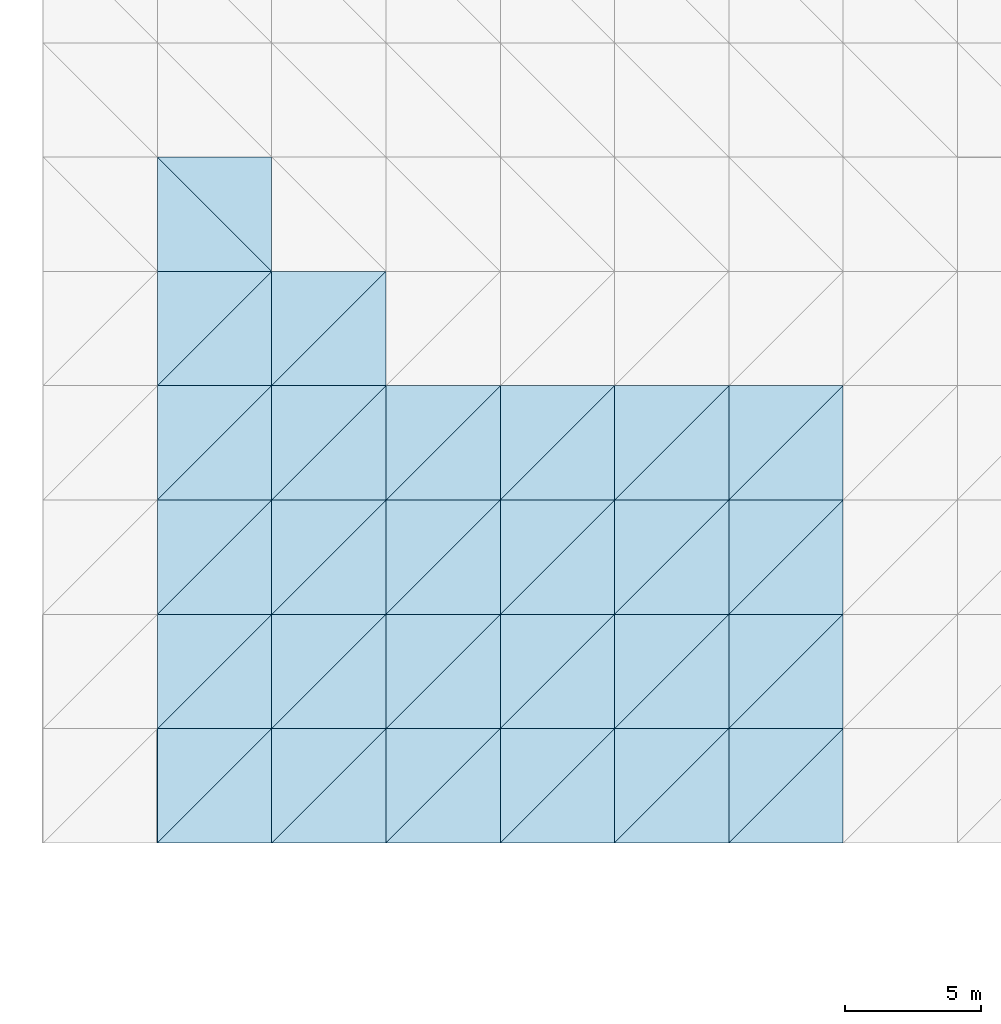
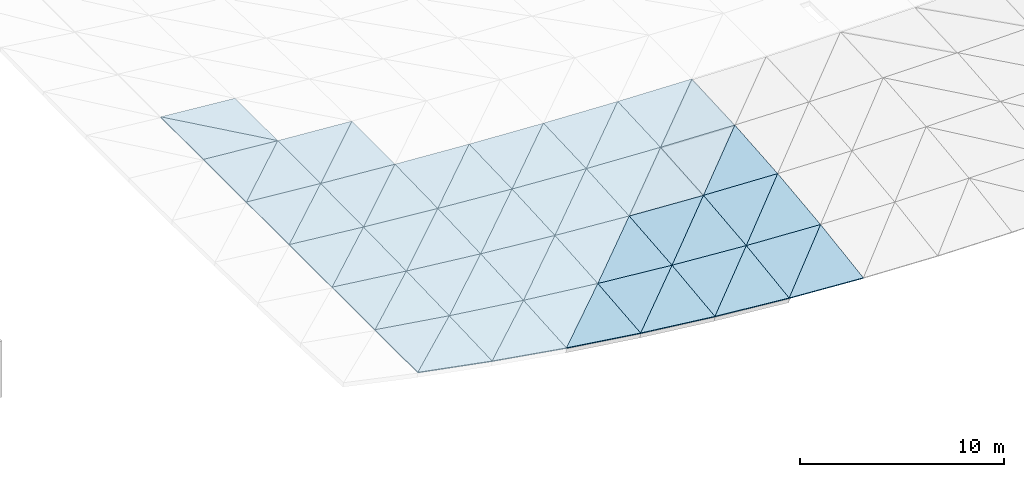
# One storey, part 42 of 64: 54 roofs.
"""IFC4 building model written with IfcOpenShell, lengths in metres."""

from ifc_helpers import new_model, si_unit, direction, frame, origin, place, context, subcontext, project, spatial, polyline, outline, extrude, material, layer, layer_set, type_object, element, save


model = new_model("IFC4")

# Units and contexts
model_context = context("Model", 3, precision=1e-05, world=origin(), true_north=direction((0.0, 1.0)))
body_context = subcontext(model_context, "Body", "Model", "MODEL_VIEW")
ifc_project = project(units=[si_unit("LENGTHUNIT", "METRE"), si_unit("AREAUNIT", "SQUARE_METRE"), si_unit("VOLUMEUNIT", "CUBIC_METRE"), si_unit("PLANEANGLEUNIT", "RADIAN"), si_unit("MASSUNIT", "GRAM", prefix="KILO")], contexts=[model_context])

# Site, building, storey
site_placement = place(None, origin())
site = spatial("IfcSite", under=ifc_project, at=site_placement, CompositionType="ELEMENT")
building_placement = place(site_placement, origin())
building = spatial("IfcBuilding", under=site, at=building_placement, Name="Cumbredor Promenade Congress Hotel", CompositionType="ELEMENT")
storey_placement = place(building_placement, frame((0.0, 0.0, 18.47998046875)))
storey = spatial("IfcBuildingStorey", under=building, at=storey_placement, Name="L05", CompositionType="ELEMENT", Elevation=18.47998046875)

# Roofs
ifc_material = material(Name="Standing-seam zinc-aluminium roofing", Category="aluminium")
ifc_layer = layer(ifc_material, 0.050048828125, Name="Standing-seam zinc-aluminium roofing", Category="aluminium")
ifc_layer_set = layer_set([ifc_layer], Name="Standing-seam zinc-aluminium roofing")
roof_type = type_object("IfcRoofType", Name="Sweeping Pavilion Standing-Seam Roof Skin 50mm", PredefinedType="FREEFORM", material=ifc_layer_set)
roof_1_placement = place(storey_placement, frame((100.800048828125, 79.800048828125, 3.155029296875), z_axis=(0.185453085958, -0.037216193304, 0.981948118724), x_axis=(0.982628847122, 0.0, -0.185581649962)))
element("IfcRoof", 1, at=roof_1_placement, inside=storey, type_object=roof_type, Name="Pre-Function and Breakout Meeting Forum Standing-Seam Roof Skin 4.1.1", PredefinedType="FREEFORM", context=body_context, shape_type="SweptSolid", body=[
    extrude(outline(polyline([(0.0, 0.0), (4.274198935003828, 3.469446951953614e-18), (4.244658105957099, 4.202862757510173), (0.0, 0.0)])), origin(), (0.0, 0.0, -1.0), 0.050048828125),
])
roof_2_placement = place(storey_placement, frame((100.800048828125, 79.800048828125, 3.155029296875), z_axis=(0.148933498583, 0.000344886527, 0.98884715404), x_axis=(0.703112227506, 0.703112227506, -0.106143257271)))
element("IfcRoof", 2, at=roof_2_placement, inside=storey, type_object=roof_type, Name="Pre-Function and Breakout Meeting Forum Standing-Seam Roof Skin 4.1.2", PredefinedType="FREEFORM", context=body_context, shape_type="SweptSolid", body=[
    extrude(outline(polyline([(0.0, 0.0), (5.9733723971416115, -8.326672684688674e-17), (2.9531925071590126, 2.9863432501240146), (0.0, 0.0)])), origin(), (0.0, 0.0, -1.0), 0.050048828125),
])
roof_3_placement = place(storey_placement, frame((100.800048828125, 84.0, 3.153564453125), z_axis=(0.148870302384, -0.029130545469, 0.988427561528), x_axis=(0.98884721285, 0.0, -0.14893350744)))
element("IfcRoof", 3, at=roof_3_placement, inside=storey, type_object=roof_type, Name="Pre-Function and Breakout Meeting Forum Standing-Seam Roof Skin 4.2.1", PredefinedType="FREEFORM", context=body_context, shape_type="SweptSolid", body=[
    extrude(outline(polyline([(0.0, 0.0), (4.247320634872833, 0.0), (4.22888575004075, 4.201734322335277), (0.0, 0.0)])), origin(), (0.0, 0.0, -1.0), 0.050048828125),
])
roof_4_placement = place(storey_placement, frame((100.800048828125, 84.0, 3.153564453125), z_axis=(0.12003492741, 0.000230836399, 0.992769642423), x_axis=(0.704526719819, 0.704526719819, -0.085347537296)))
element("IfcRoof", 4, at=roof_4_placement, inside=storey, type_object=roof_type, Name="Pre-Function and Breakout Meeting Forum Standing-Seam Roof Skin 4.2.2", PredefinedType="FREEFORM", context=body_context, shape_type="SweptSolid", body=[
    extrude(outline(polyline([(0.0, 0.0), (5.961379538528646, -2.0816681711721685e-16), (2.9590611697249636, 2.9805281064996576), (0.0, 0.0)])), origin(), (0.0, 0.0, -1.0), 0.050048828125),
])
roof_5_placement = place(storey_placement, frame((100.800048828125, 88.199951171875, 3.152587890625), z_axis=(0.120008746289, -0.020886137575, 0.992553106927), x_axis=(0.992769668873, 0.0, -0.120034930608)))
element("IfcRoof", 5, at=roof_5_placement, inside=storey, type_object=roof_type, Name="Pre-Function and Breakout Meeting Forum Standing-Seam Roof Skin 4.3.1", PredefinedType="FREEFORM", context=body_context, shape_type="SweptSolid", body=[
    extrude(outline(polyline([(0.0, 0.0), (4.230539372383909, 0.0), (4.219930816504948, 4.200867545608442), (0.0, 0.0)])), origin(), (0.0, 0.0, -1.0), 0.050048828125),
])
roof_6_placement = place(storey_placement, frame((100.800048828125, 88.199951171875, 3.152587890625), z_axis=(0.099142906927, 0.000231372011, 0.995073178451), x_axis=(0.705350304462, 0.705350304462, -0.070440726796)))
element("IfcRoof", 6, at=roof_6_placement, inside=storey, type_object=roof_type, Name="Pre-Function and Breakout Meeting Forum Standing-Seam Roof Skin 4.3.2", PredefinedType="FREEFORM", context=body_context, shape_type="SweptSolid", body=[
    extrude(outline(polyline([(0.0, 0.0), (5.954418882799095, -2.8796409701215e-16), (2.962505627578682, 2.97710450041196), (0.0, 0.0)])), origin(), (0.0, 0.0, -1.0), 0.050048828125),
])
roof_7_placement = place(storey_placement, frame((100.800048828125, 92.39990234375, 3.151611328125), z_axis=(0.099135101379, -0.01255021387, 0.99499483607), x_axis=(0.995073205086, 0.0, -0.099142909581)))
element("IfcRoof", 7, at=roof_7_placement, inside=storey, type_object=roof_type, Name="Pre-Function and Breakout Meeting Forum Standing-Seam Roof Skin 4.4.1", PredefinedType="FREEFORM", context=body_context, shape_type="SweptSolid", body=[
    extrude(outline(polyline([(0.0, 0.0), (4.220745921414454, 8.673617379884035e-19), (4.215493477230124, 4.200526133485529), (0.0, 0.0)])), origin(), (0.0, 0.0, -1.0), 0.050048828125),
])
roof_8_placement = place(storey_placement, frame((100.800048828125, 92.39990234375, 3.151611328125), z_axis=(0.086577137099, 0.000115815525, 0.996245143486), x_axis=(0.705751506093, 0.705792531002, -0.061414288474)))
element("IfcRoof", 8, at=roof_8_placement, inside=storey, type_object=roof_type, Name="Pre-Function and Breakout Meeting Forum Standing-Seam Roof Skin 4.4.2", PredefinedType="FREEFORM", context=body_context, shape_type="SweptSolid", body=[
    extrude(outline(polyline([(0.0, 0.0), (5.95103394837104, 2.7755575615628914e-16), (2.964496467757922, 2.9754666178964864), (0.0, 0.0)])), origin(), (0.0, 0.0, -1.0), 0.050048828125),
])
roof_9_placement = place(storey_placement, frame((100.800048828125, 96.60009765625, 3.151123046875), z_axis=(0.086576364043, -0.004227474632, 0.996236247909), x_axis=(0.996245150167, 0.0, -0.086577137679)))
element("IfcRoof", 9, at=roof_9_placement, inside=storey, type_object=roof_type, Name="Pre-Function and Breakout Meeting Forum Standing-Seam Roof Skin 4.5.1", PredefinedType="FREEFORM", context=body_context, shape_type="SweptSolid", body=[
    extrude(outline(polyline([(0.0, 0.0), (4.215780795691743, 0.0), (4.2142377949469685, 4.199988702179437), (0.0, 0.0)])), origin(), (0.0, 0.0, -1.0), 0.050048828125),
])
roof_10_placement = place(storey_placement, frame((100.800048828125, 96.60009765625, 3.151123046875), z_axis=(0.08237904561, 0.0, 0.99660107006), x_axis=(0.705902009393, 0.705902009393, -0.058349860917)))
element("IfcRoof", 10, at=roof_10_placement, inside=storey, type_object=roof_type, Name="Pre-Function and Breakout Meeting Forum Standing-Seam Roof Skin 4.5.2", PredefinedType="FREEFORM", context=body_context, shape_type="SweptSolid", body=[
    extrude(outline(polyline([(0.0, 0.0), (5.9497651458519245, 7.979727989493313e-17), (2.964753971580241, 2.9748653304197443), (0.0, 0.0)])), origin(), (0.0, 0.0, -1.0), 0.050048828125),
])
roof_11_placement = place(storey_placement, frame((100.800048828125, 100.800048828125, 3.151123046875), z_axis=(0.08237904561, 0.0, 0.99660107006), x_axis=(0.99660107006, 0.0, -0.08237904561)))
element("IfcRoof", 11, at=roof_11_placement, inside=storey, type_object=roof_type, Name="Pre-Function and Breakout Meeting Forum Standing-Seam Roof Skin 4.6.1", PredefinedType="FREEFORM", context=body_context, shape_type="SweptSolid", body=[
    extrude(outline(polyline([(0.0, 0.0), (4.214275198021623, 0.0), (0.0, 4.199951171875), (0.0, 0.0)])), origin(), (0.0, 0.0, -1.0), 0.050048828125),
])
roof_12_placement = place(storey_placement, frame((105.0, 100.800048828125, 2.803955078125), z_axis=(0.086576364043, 0.004227474632, 0.996236247909), x_axis=(0.0, 0.999990996705, -0.004243407706)))
element("IfcRoof", 12, at=roof_12_placement, inside=storey, type_object=roof_type, Name="Pre-Function and Breakout Meeting Forum Standing-Seam Roof Skin 4.6.2", PredefinedType="FREEFORM", context=body_context, shape_type="SweptSolid", body=[
    extrude(outline(polyline([(0.0, 0.0), (4.199988985614866, 0.0), (4.19844018324185, 4.215780511190605), (0.0, 0.0)])), origin(), (0.0, 0.0, -1.0), 0.050048828125),
])
roof_13_placement = place(storey_placement, frame((105.0, 79.800048828125, 2.36181640625), z_axis=(0.16120267828, -0.069928886354, 0.984440779005), x_axis=(0.986856624724, 0.0, -0.161598274246)))
element("IfcRoof", 13, at=roof_13_placement, inside=storey, type_object=roof_type, Name="Pre-Function and Breakout Meeting Forum Standing-Seam Roof Skin 5.1.1", PredefinedType="FREEFORM", context=body_context, shape_type="SweptSolid", body=[
    extrude(outline(polyline([(0.0, 0.0), (4.255887903727988, 1.3877787807814457e-17), (4.207676699839298, 4.210257971707026), (0.0, 0.0)])), origin(), (0.0, 0.0, -1.0), 0.050048828125),
])
roof_14_placement = place(storey_placement, frame((105.0, 79.800048828125, 2.36181640625), z_axis=(0.129425237007, -0.037554630409, 0.990877771353), x_axis=(0.705592031903, 0.705592031903, -0.065419943666)))
element("IfcRoof", 14, at=roof_14_placement, inside=storey, type_object=roof_type, Name="Pre-Function and Breakout Meeting Forum Standing-Seam Roof Skin 5.1.2", PredefinedType="FREEFORM", context=body_context, shape_type="SweptSolid", body=[
    extrude(outline(polyline([(0.0, 0.0), (5.952378969680366, -7.632783294297951e-17), (2.953038555068741, 2.9907342428447747), (0.0, 0.0)])), origin(), (0.0, 0.0, -1.0), 0.050048828125),
])
roof_15_placement = place(storey_placement, frame((105.0, 84.0, 2.52099609375), z_axis=(0.129322457173, -0.054733269591, 0.990090890409), x_axis=(0.99157725369, 0.0, -0.129516601118)))
element("IfcRoof", 15, at=roof_15_placement, inside=storey, type_object=roof_type, Name="Pre-Function and Breakout Meeting Forum Standing-Seam Roof Skin 5.2.1", PredefinedType="FREEFORM", context=body_context, shape_type="SweptSolid", body=[
    extrude(outline(polyline([(0.0, 0.0), (4.235626781722741, -3.469446951953614e-18), (4.205555910711109, 4.206256303316561), (0.0, 0.0)])), origin(), (0.0, 0.0, -1.0), 0.050048828125),
])
roof_16_placement = place(storey_placement, frame((105.0, 84.0, 2.52099609375), z_axis=(0.104191620878, -0.029298475755, 0.994125598432), x_axis=(0.706105621102, 0.706105621102, -0.053194959306)))
element("IfcRoof", 16, at=roof_16_placement, inside=storey, type_object=roof_type, Name="Pre-Function and Breakout Meeting Forum Standing-Seam Roof Skin 5.2.2", PredefinedType="FREEFORM", context=body_context, shape_type="SweptSolid", body=[
    extrude(outline(polyline([(0.0, 0.0), (5.948049479224886, -1.249000902703301e-16), (2.959024696155674, 2.9831332534786106), (0.0, 0.0)])), origin(), (0.0, 0.0, -1.0), 0.050048828125),
])
roof_17_placement = place(storey_placement, frame((105.0, 88.199951171875, 2.644775390625), z_axis=(0.104156150302, -0.039224640075, 0.993787162307), x_axis=(0.99455255237, 0.0, -0.104236368768)))
element("IfcRoof", 17, at=roof_17_placement, inside=storey, type_object=roof_type, Name="Pre-Function and Breakout Meeting Forum Standing-Seam Roof Skin 5.3.1", PredefinedType="FREEFORM", context=body_context, shape_type="SweptSolid", body=[
    extrude(outline(polyline([(0.0, 0.0), (4.222955500808863, 3.469446951953614e-18), (4.205676083232259, 4.203185869420277), (0.0, 0.0)])), origin(), (0.0, 0.0, -1.0), 0.050048828125),
])
roof_18_placement = place(storey_placement, frame((105.0, 88.199951171875, 2.644775390625), z_axis=(0.086040902939, -0.020960166126, 0.996071099098), x_axis=(0.706353330755, 0.706353330755, -0.046151319175)))
element("IfcRoof", 18, at=roof_18_placement, inside=storey, type_object=roof_type, Name="Pre-Function and Breakout Meeting Forum Standing-Seam Roof Skin 5.3.2", PredefinedType="FREEFORM", context=body_context, shape_type="SweptSolid", body=[
    extrude(outline(polyline([(0.0, 0.0), (5.945963569512188, -7.632783294297951e-17), (2.9625706961531204, 2.978351145768233), (0.0, 0.0)])), origin(), (0.0, 0.0, -1.0), 0.050048828125),
])
roof_19_placement = place(storey_placement, frame((105.0, 92.39990234375, 2.733154296875), z_axis=(0.086035797656, -0.023620837866, 0.996011996685), x_axis=(0.996289972461, 0.0, -0.086059809282)))
element("IfcRoof", 19, at=roof_19_placement, inside=storey, type_object=roof_type, Name="Pre-Function and Breakout Meeting Forum Standing-Seam Roof Skin 5.4.1", PredefinedType="FREEFORM", context=body_context, shape_type="SweptSolid", body=[
    extrude(outline(polyline([(0.0, 0.0), (4.215591131064376, 1.734723475976807e-18), (4.207018767249184, 4.201367539898584), (0.0, 0.0)])), origin(), (0.0, 0.0, -1.0), 0.050048828125),
])
roof_20_placement = place(storey_placement, frame((105.0, 92.39990234375, 2.733154296875), z_axis=(0.075059244979, -0.012576764025, 0.997099761684), x_axis=(0.706393159176, 0.706434221383, -0.044265059908)))
element("IfcRoof", 20, at=roof_20_placement, inside=storey, type_object=roof_type, Name="Pre-Function and Breakout Meeting Forum Standing-Seam Roof Skin 5.4.2", PredefinedType="FREEFORM", context=body_context, shape_type="SweptSolid", body=[
    extrude(outline(polyline([(0.0, 0.0), (5.9456283194714015, -7.28583859910259e-17), (2.9648166080755693, 2.9756192408882023), (0.0, 0.0)])), origin(), (0.0, 0.0, -1.0), 0.050048828125),
])
roof_21_placement = place(storey_placement, frame((105.0, 96.60009765625, 2.7861328125), z_axis=(0.075062849528, -0.00788304829, 0.997147645121), x_axis=(0.997178629164, 0.0, -0.075065181931)))
element("IfcRoof", 21, at=roof_21_placement, inside=storey, type_object=roof_type, Name="Pre-Function and Breakout Meeting Forum Standing-Seam Roof Skin 5.5.1", PredefinedType="FREEFORM", context=body_context, shape_type="SweptSolid", body=[
    extrude(outline(polyline([(0.0, 0.0), (4.2118343183865425, 4.336808689942018e-19), (4.2093419197677235, 4.200081675585974), (0.0, 0.0)])), origin(), (0.0, 0.0, -1.0), 0.050048828125),
])
roof_22_placement = place(storey_placement, frame((105.0, 96.60009765625, 2.7861328125), z_axis=(0.071431830066, -0.004232567853, 0.997436503755), x_axis=(0.706305758067, 0.706305758067, -0.047585210347)))
element("IfcRoof", 22, at=roof_22_placement, inside=storey, type_object=roof_type, Name="Pre-Function and Breakout Meeting Forum Standing-Seam Roof Skin 5.5.2", PredefinedType="FREEFORM", context=body_context, shape_type="SweptSolid", body=[
    extrude(outline(polyline([(0.0, 0.0), (5.946364055379297, -4.5102810375396984e-17), (2.9656016200354953, 2.974073723115996), (0.0, 0.0)])), origin(), (0.0, 0.0, -1.0), 0.050048828125),
])
roof_23_placement = place(storey_placement, frame((109.199951171875, 79.800048828125, 1.674072265625), z_axis=(0.136555679949, -0.097703497404, 0.985802501959), x_axis=(0.990541681373, 0.0, -0.137212162222)))
element("IfcRoof", 23, at=roof_23_placement, inside=storey, type_object=roof_type, Name="Pre-Function and Breakout Meeting Forum Standing-Seam Roof Skin 6.1.1", PredefinedType="FREEFORM", context=body_context, shape_type="SweptSolid", body=[
    extrude(outline(polyline([(0.0, 0.0), (4.240054962706156, 6.938893903907228e-18), (4.182939060218534, 4.220142155460572), (0.0, 0.0)])), origin(), (0.0, 0.0, -1.0), 0.050048828125),
])
roof_24_placement = place(storey_placement, frame((109.199951171875, 79.800048828125, 1.674072265625), z_axis=(0.109505722465, -0.070429469922, 0.991487865036), x_axis=(0.706832356522, 0.706832356522, -0.027857486353)))
element("IfcRoof", 24, at=roof_24_placement, inside=storey, type_object=roof_type, Name="Pre-Function and Breakout Meeting Forum Standing-Seam Roof Skin 6.1.2", PredefinedType="FREEFORM", context=body_context, shape_type="SweptSolid", body=[
    extrude(outline(polyline([(0.0, 0.0), (5.9419339439106285, 1.249000902703301e-16), (2.9603503859698974, 2.994147975767204), (0.0, 0.0)])), origin(), (0.0, 0.0, -1.0), 0.050048828125),
])
roof_25_placement = place(storey_placement, frame((109.199951171875, 84.0, 1.972412109375), z_axis=(0.109457558813, -0.076389854203, 0.991051781187), x_axis=(0.993956094932, 0.0, -0.10977832822)))
element("IfcRoof", 25, at=roof_25_placement, inside=storey, type_object=roof_type, Name="Pre-Function and Breakout Meeting Forum Standing-Seam Roof Skin 6.2.1", PredefinedType="FREEFORM", context=body_context, shape_type="SweptSolid", body=[
    extrude(outline(polyline([(0.0, 0.0), (4.225489630063402, -6.938893903907228e-18), (4.189951040410097, 4.212259283469709), (0.0, 0.0)])), origin(), (0.0, 0.0, -1.0), 0.050048828125),
])
roof_26_placement = place(storey_placement, frame((109.199951171875, 84.0, 1.972412109375), z_axis=(0.088167489527, -0.054981824617, 0.994587096615), x_axis=(0.70691005637, 0.70691005637, -0.023586954157)))
element("IfcRoof", 26, at=roof_26_placement, inside=storey, type_object=roof_type, Name="Pre-Function and Breakout Meeting Forum Standing-Seam Roof Skin 6.2.2", PredefinedType="FREEFORM", context=body_context, shape_type="SweptSolid", body=[
    extrude(outline(polyline([(0.0, 0.0), (5.941280837682258, -1.5785983631388945e-16), (2.963511354083831, 2.9851460266944922), (0.0, 0.0)])), origin(), (0.0, 0.0, -1.0), 0.050048828125),
])
roof_27_placement = place(storey_placement, frame((109.199951171875, 88.199951171875, 2.20458984375), z_axis=(0.088168608244, -0.054751260333, 0.994599716475), x_axis=(0.996093832538, 0.0, -0.088301057642)))
element("IfcRoof", 27, at=roof_27_placement, inside=storey, type_object=roof_type, Name="Pre-Function and Breakout Meeting Forum Standing-Seam Roof Skin 6.3.1", PredefinedType="FREEFORM", context=body_context, shape_type="SweptSolid", body=[
    extrude(outline(polyline([(0.0, 0.0), (4.216421219249798, 0.0), (4.1960059112451065, 4.20626045831801), (0.0, 0.0)])), origin(), (0.0, 0.0, -1.0), 0.050048828125),
])
roof_28_placement = place(storey_placement, frame((109.199951171875, 88.199951171875, 2.20458984375), z_axis=(0.072817973247, -0.039334450147, 0.996569287006), x_axis=(0.706907306171, 0.706907306171, -0.023751230772)))
element("IfcRoof", 28, at=roof_28_placement, inside=storey, type_object=roof_type, Name="Pre-Function and Breakout Meeting Forum Standing-Seam Roof Skin 6.3.2", PredefinedType="FREEFORM", context=body_context, shape_type="SweptSolid", body=[
    extrude(outline(polyline([(0.0, 0.0), (5.941303952030524, 6.938893903907228e-17), (2.9650388921805235, 2.9791969386099635), (0.0, 0.0)])), origin(), (0.0, 0.0, -1.0), 0.050048828125),
])
roof_29_placement = place(storey_placement, frame((109.199951171875, 92.39990234375, 2.370361328125), z_axis=(0.0728347571, -0.032967834427, 0.996798986783), x_axis=(0.997341128252, 0.0, -0.072874370645)))
element("IfcRoof", 29, at=roof_29_placement, inside=storey, type_object=roof_type, Name="Pre-Function and Breakout Meeting Forum Standing-Seam Roof Skin 6.4.1", PredefinedType="FREEFORM", context=body_context, shape_type="SweptSolid", body=[
    extrude(outline(polyline([(0.0, 0.0), (4.211148074516841, 0.0), (4.201024657305603, 4.2024797249919095), (0.0, 0.0)])), origin(), (0.0, 0.0, -1.0), 0.050048828125),
])
roof_30_placement = place(storey_placement, frame((109.199951171875, 92.39990234375, 2.370361328125), z_axis=(0.063563113281, -0.023660805468, 0.997697297237), x_axis=(0.70680367967, 0.706844765741, -0.028267216858)))
element("IfcRoof", 30, at=roof_30_placement, inside=storey, type_object=roof_type, Name="Pre-Function and Breakout Meeting Forum Standing-Seam Roof Skin 6.4.2", PredefinedType="FREEFORM", context=body_context, shape_type="SweptSolid", body=[
    extrude(outline(polyline([(0.0, 0.0), (5.942175023529493, 3.174543961037557e-16), (2.966070391927167, 2.975565344748438), (0.0, 0.0)])), origin(), (0.0, 0.0, -1.0), 0.050048828125),
])
roof_31_placement = place(storey_placement, frame((113.39990234375, 79.800048828125, 1.09228515625), z_axis=(0.111805121041, -0.120412514067, 0.986407847376), x_axis=(0.99363761155, 0.0, -0.112624583964)))
element("IfcRoof", 31, at=roof_31_placement, inside=storey, type_object=roof_type, Name="Pre-Function and Breakout Meeting Forum Standing-Seam Roof Skin 7.1.1", PredefinedType="FREEFORM", context=body_context, shape_type="SweptSolid", body=[
    extrude(outline(polyline([(0.0, 0.0), (4.2270896991790226, 0.0), (4.169347602908241, 4.230734236502208), (0.0, 0.0)])), origin(), (0.0, 0.0, -1.0), 0.050048828125),
])
roof_32_placement = place(storey_placement, frame((113.39990234375, 79.800048828125, 1.09228515625), z_axis=(0.089583631267, -0.098230848875, 0.991123339115), x_axis=(0.707113892913, 0.707072791199, 0.006165257146)))
element("IfcRoof", 32, at=roof_32_placement, inside=storey, type_object=roof_type, Name="Pre-Function and Breakout Meeting Forum Standing-Seam Roof Skin 7.1.2", PredefinedType="FREEFORM", context=body_context, shape_type="SweptSolid", body=[
    extrude(outline(polyline([(0.0, 0.0), (5.939913434873324, -8.847089727481716e-16), (2.9722375464907773, 2.9964422246796034), (0.0, 0.0)])), origin(), (0.0, 0.0, -1.0), 0.050048828125),
])
roof_33_placement = place(storey_placement, frame((113.39990234375, 84.0, 1.508544921875), z_axis=(0.089619385253, -0.094120233611, 0.991518909256), x_axis=(0.995940048742, 0.0, -0.090018994175)))
element("IfcRoof", 33, at=roof_33_placement, inside=storey, type_object=roof_type, Name="Pre-Function and Breakout Meeting Forum Standing-Seam Roof Skin 7.2.1", PredefinedType="FREEFORM", context=body_context, shape_type="SweptSolid", body=[
    extrude(outline(polyline([(0.0, 0.0), (4.217317415648244, -6.938893903907228e-18), (4.181428495362988, 4.218678570607908), (0.0, 0.0)])), origin(), (0.0, 0.0, -1.0), 0.050048828125),
])
roof_34_placement = place(storey_placement, frame((113.39990234375, 84.0, 1.508544921875), z_axis=(0.072138294418, -0.076651393259, 0.994444885547), x_axis=(0.707123698094, 0.70708259581, 0.003205978171)))
element("IfcRoof", 34, at=roof_34_placement, inside=storey, type_object=roof_type, Name="Pre-Function and Breakout Meeting Forum Standing-Seam Roof Skin 7.2.2", PredefinedType="FREEFORM", context=body_context, shape_type="SweptSolid", body=[
    extrude(outline(polyline([(0.0, 0.0), (5.939831070320096, 4.0766001685454967e-17), (2.970750249700804, 2.986475216109101), (0.0, 0.0)])), origin(), (0.0, 0.0, -1.0), 0.050048828125),
])
roof_35_placement = place(storey_placement, frame((113.39990234375, 88.199951171875, 1.832275390625), z_axis=(0.072186117772, -0.06750488488, 0.99510414275), x_axis=(0.997379220956, 0.0, -0.072351154833)))
element("IfcRoof", 35, at=roof_35_placement, inside=storey, type_object=roof_type, Name="Pre-Function and Breakout Meeting Forum Standing-Seam Roof Skin 7.3.1", PredefinedType="FREEFORM", context=body_context, shape_type="SweptSolid", body=[
    extrude(outline(polyline([(0.0, 0.0), (4.211232021131491, 0.0), (4.190618300992207, 4.209553400391154), (0.0, 0.0)])), origin(), (0.0, 0.0, -1.0), 0.050048828125),
])
roof_36_placement = place(storey_placement, frame((113.39990234375, 88.199951171875, 1.832275390625), z_axis=(0.059557305235, -0.054867749611, 0.996715835856), x_axis=(0.707123413179, 0.707082310912, -0.003329283682)))
element("IfcRoof", 36, at=roof_36_placement, inside=storey, type_object=roof_type, Name="Pre-Function and Breakout Meeting Forum Standing-Seam Roof Skin 7.3.2", PredefinedType="FREEFORM", context=body_context, shape_type="SweptSolid", body=[
    extrude(outline(polyline([(0.0, 0.0), (5.939833463604475, 5.377642775528102e-16), (2.968941446036086, 2.9796695316795985), (0.0, 0.0)])), origin(), (0.0, 0.0, -1.0), 0.050048828125),
])
roof_37_placement = place(storey_placement, frame((113.39990234375, 92.39990234375, 2.0634765625), z_axis=(0.059598018496, -0.040582308314, 0.997397188909), x_axis=(0.998219523348, 0.0, -0.059647155894)))
element("IfcRoof", 37, at=roof_37_placement, inside=storey, type_object=roof_type, Name="Pre-Function and Breakout Meeting Forum Standing-Seam Roof Skin 7.4.1", PredefinedType="FREEFORM", context=body_context, shape_type="SweptSolid", body=[
    extrude(outline(polyline([(0.0, 0.0), (4.207687000962797, -1.734723475976807e-18), (4.197493395219176, 4.203658291237391), (0.0, 0.0)])), origin(), (0.0, 0.0, -1.0), 0.050048828125),
])
roof_38_placement = place(storey_placement, frame((113.39990234375, 92.39990234375, 2.0634765625), z_axis=(0.052039934598, -0.033010839227, 0.998099258441), x_axis=(0.707042533923, 0.707042533923, -0.013480001809)))
element("IfcRoof", 38, at=roof_38_placement, inside=storey, type_object=roof_type, Name="Pre-Function and Breakout Meeting Forum Standing-Seam Roof Skin 7.4.2", PredefinedType="FREEFORM", context=body_context, shape_type="SweptSolid", body=[
    extrude(outline(polyline([(0.0, 0.0), (5.940512926709062, -3.8077180297690916e-16), (2.967844148577629, 2.9753721502187966), (0.0, 0.0)])), origin(), (0.0, 0.0, -1.0), 0.050048828125),
])
roof_39_placement = place(storey_placement, frame((117.60009765625, 79.800048828125, 0.6162109375), z_axis=(0.086943542006, -0.138042945653, 0.986602739535), x_axis=(0.99613953622, 0.0, -0.087783964245)))
element("IfcRoof", 39, at=roof_39_placement, inside=storey, type_object=roof_type, Name="Pre-Function and Breakout Meeting Forum Standing-Seam Roof Skin 8.1.1", PredefinedType="FREEFORM", context=body_context, shape_type="SweptSolid", body=[
    extrude(outline(polyline([(0.0, 0.0), (4.2162277664539305, 6.938893903907228e-18), (4.16464182848074, 4.240549154028981), (0.0, 0.0)])), origin(), (0.0, 0.0, -1.0), 0.050048828125),
])
roof_40_placement = place(storey_placement, frame((117.60009765625, 79.800048828125, 0.6162109375), z_axis=(0.069591463531, -0.120878472635, 0.990224935586), x_axis=(0.706633046234, 0.706633046234, 0.036598851607)))
element("IfcRoof", 40, at=roof_40_placement, inside=storey, type_object=roof_type, Name="Pre-Function and Breakout Meeting Forum Standing-Seam Roof Skin 8.1.2", PredefinedType="FREEFORM", context=body_context, shape_type="SweptSolid", body=[
    extrude(outline(polyline([(0.0, 0.0), (5.943609903692141, 2.0816681711721685e-17), (2.9865883502796025, 2.9971213448186944), (0.0, 0.0)])), origin(), (0.0, 0.0, -1.0), 0.050048828125),
])
roof_41_placement = place(storey_placement, frame((117.60009765625, 84.0, 1.12890625), z_axis=(0.069696106028, -0.107916551269, 0.991713905704), x_axis=(0.997539580824, 0.0, -0.070105525386)))
element("IfcRoof", 41, at=roof_41_placement, inside=storey, type_object=roof_type, Name="Pre-Function and Breakout Meeting Forum Standing-Seam Roof Skin 8.2.1", PredefinedType="FREEFORM", context=body_context, shape_type="SweptSolid", body=[
    extrude(outline(polyline([(0.0, 0.0), (4.210310300074583, 0.0), (4.178269884175492, 4.22462315731945), (0.0, 0.0)])), origin(), (0.0, 0.0, -1.0), 0.050048828125),
])
roof_42_placement = place(storey_placement, frame((117.60009765625, 84.0, 1.12890625), z_axis=(0.056044951003, -0.094351963906, 0.993960094961), x_axis=(0.706844358201, 0.706844358201, 0.027241632825)))
element("IfcRoof", 42, at=roof_42_placement, inside=storey, type_object=roof_type, Name="Pre-Function and Breakout Meeting Forum Standing-Seam Roof Skin 8.2.2", PredefinedType="FREEFORM", context=body_context, shape_type="SweptSolid", body=[
    extrude(outline(polyline([(0.0, 0.0), (5.9418330544006075, -6.938893903907228e-18), (2.9795725294272675, 2.9867514859104074), (0.0, 0.0)])), origin(), (0.0, 0.0, -1.0), 0.050048828125),
])
roof_43_placement = place(storey_placement, frame((117.60009765625, 88.199951171875, 1.527587890625), z_axis=(0.05612737267, -0.077363193051, 0.995421847459), x_axis=(0.998414117425, 0.0, -0.05629609335)))
element("IfcRoof", 43, at=roof_43_placement, inside=storey, type_object=roof_type, Name="Pre-Function and Breakout Meeting Forum Standing-Seam Roof Skin 8.3.1", PredefinedType="FREEFORM", context=body_context, shape_type="SweptSolid", body=[
    extrude(outline(polyline([(0.0, 0.0), (4.206622381008706, 0.0), (4.188246434522104, 4.212576359661794), (0.0, 0.0)])), origin(), (0.0, 0.0, -1.0), 0.050048828125),
])
roof_44_placement = place(storey_placement, frame((117.60009765625, 88.199951171875, 1.527587890625), z_axis=(0.046347025276, -0.067608723121, 0.996634844768), x_axis=(0.707026340708, 0.707026340708, 0.015083338199)))
element("IfcRoof", 44, at=roof_44_placement, inside=storey, type_object=roof_type, Name="Pre-Function and Breakout Meeting Forum Standing-Seam Roof Skin 8.3.2", PredefinedType="FREEFORM", context=body_context, shape_type="SweptSolid", body=[
    extrude(outline(polyline([(0.0, 0.0), (5.940303677613505, -1.3010426069826053e-17), (2.973773533904127, 2.9795025969537363), (0.0, 0.0)])), origin(), (0.0, 0.0, -1.0), 0.050048828125),
])
roof_45_placement = place(storey_placement, frame((117.60009765625, 92.39990234375, 1.8125), z_axis=(0.046403030175, -0.046516333784, 0.997839160126), x_axis=(0.998920462084, 0.0, -0.046453314519)))
element("IfcRoof", 45, at=roof_45_placement, inside=storey, type_object=roof_type, Name="Pre-Function and Breakout Meeting Forum Standing-Seam Roof Skin 8.4.1", PredefinedType="FREEFORM", context=body_context, shape_type="SweptSolid", body=[
    extrude(outline(polyline([(0.0, 0.0), (4.204490078331787, 0.0), (4.195394483057351, 4.204746827007744), (0.0, 0.0)])), origin(), (0.0, 0.0, -1.0), 0.050048828125),
])
roof_46_placement = place(storey_placement, frame((117.60009765625, 92.39990234375, 1.8125), z_axis=(0.040507499592, -0.04062120564, 0.998353174047), x_axis=(0.707086227251, 0.707127329746, 8.2204991e-05)))
element("IfcRoof", 46, at=roof_46_placement, inside=storey, type_object=roof_type, Name="Pre-Function and Breakout Meeting Forum Standing-Seam Roof Skin 8.4.2", PredefinedType="FREEFORM", context=body_context, shape_type="SweptSolid", body=[
    extrude(outline(polyline([(0.0, 0.0), (5.9398005646401755, 5.598413442900463e-16), (2.9700869444458142, 2.9747992338172073), (0.0, 0.0)])), origin(), (0.0, 0.0, -1.0), 0.050048828125),
])
roof_47_placement = place(storey_placement, frame((121.800048828125, 79.800048828125, 0.24609375), z_axis=(0.062113086697, -0.15060846322, 0.986640286663), x_axis=(0.998024259177, 0.0, -0.06282975485)))
element("IfcRoof", 47, at=roof_47_placement, inside=storey, type_object=roof_type, Name="Pre-Function and Breakout Meeting Forum Standing-Seam Roof Skin 9.1.1", PredefinedType="FREEFORM", context=body_context, shape_type="SweptSolid", body=[
    extrude(outline(polyline([(0.0, 0.0), (4.208265614043409, 0.0), (4.167984623751245, 4.248410706058256), (0.0, 0.0)])), origin(), (0.0, 0.0, -1.0), 0.050048828125),
])
roof_48_placement = place(storey_placement, frame((121.800048828125, 79.800048828125, 0.24609375), z_axis=(0.049677874102, -0.138396577503, 0.989130171494), x_axis=(0.705688897227, 0.705688897227, 0.063295818661)))
element("IfcRoof", 48, at=roof_48_placement, inside=storey, type_object=roof_type, Name="Pre-Function and Breakout Meeting Forum Standing-Seam Roof Skin 9.1.2", PredefinedType="FREEFORM", context=body_context, shape_type="SweptSolid", body=[
    extrude(outline(polyline([(0.0, 0.0), (5.951561925341719, 2.8449465006019636e-16), (3.0010544762010722, 2.9964295866257222), (0.0, 0.0)])), origin(), (0.0, 0.0, -1.0), 0.050048828125),
])
roof_49_placement = place(storey_placement, frame((121.800048828125, 84.0, 0.833740234375), z_axis=(0.049811761515, -0.11772640858, 0.99179598766), x_axis=(0.998741166039, 0.0, -0.050160574752)))
element("IfcRoof", 49, at=roof_49_placement, inside=storey, type_object=roof_type, Name="Pre-Function and Breakout Meeting Forum Standing-Seam Roof Skin 9.2.1", PredefinedType="FREEFORM", context=body_context, shape_type="SweptSolid", body=[
    extrude(outline(polyline([(0.0, 0.0), (4.205244876941228, 3.469446951953614e-18), (4.1802380669696815, 4.229361867658813), (0.0, 0.0)])), origin(), (0.0, 0.0, -1.0), 0.050048828125),
])
roof_50_placement = place(storey_placement, frame((121.800048828125, 84.0, 0.833740234375), z_axis=(0.040072835618, -0.108092720861, 0.993332840262), x_axis=(0.706279326202, 0.706279326202, 0.048363485803)))
element("IfcRoof", 50, at=roof_50_placement, inside=storey, type_object=roof_type, Name="Pre-Function and Breakout Meeting Forum Standing-Seam Roof Skin 9.2.2", PredefinedType="FREEFORM", context=body_context, shape_type="SweptSolid", body=[
    extrude(outline(polyline([(0.0, 0.0), (5.946586592672208, 2.220446049250313e-16), (2.9884423081244416, 2.9862484793838924), (0.0, 0.0)])), origin(), (0.0, 0.0, -1.0), 0.050048828125),
])
roof_51_placement = place(storey_placement, frame((121.800048828125, 88.199951171875, 1.290771484375), z_axis=(0.040165055195, -0.084439215461, 0.995618796143), x_axis=(0.999187261443, 0.0, -0.040309013512)))
element("IfcRoof", 51, at=roof_51_placement, inside=storey, type_object=roof_type, Name="Pre-Function and Breakout Meeting Forum Standing-Seam Roof Skin 9.3.1", PredefinedType="FREEFORM", context=body_context, shape_type="SweptSolid", body=[
    extrude(outline(polyline([(0.0, 0.0), (4.203367410639382, 0.0), (4.1890092927893985, 4.215004503607455), (0.0, 0.0)])), origin(), (0.0, 0.0, -1.0), 0.050048828125),
])
roof_52_placement = place(storey_placement, frame((121.800048828125, 88.199951171875, 1.290771484375), z_axis=(0.033131848361, -0.077442799403, 0.996446131733), x_axis=(0.706757465898, 0.706757465898, 0.031428789247)))
element("IfcRoof", 52, at=roof_52_placement, inside=storey, type_object=roof_type, Name="Pre-Function and Breakout Meeting Forum Standing-Seam Roof Skin 9.3.2", PredefinedType="FREEFORM", context=body_context, shape_type="SweptSolid", body=[
    extrude(outline(polyline([(0.0, 0.0), (5.942563573114473, 6.765421556309548e-17), (2.978605707293577, 2.978933584668986), (0.0, 0.0)])), origin(), (0.0, 0.0, -1.0), 0.050048828125),
])
roof_53_placement = place(storey_placement, frame((121.800048828125, 92.39990234375, 1.6171875), z_axis=(0.033188701177, -0.050824497056, 0.99815599012), x_axis=(0.999447676196, 0.0, -0.033231649758)))
element("IfcRoof", 53, at=roof_53_placement, inside=storey, type_object=roof_type, Name="Pre-Function and Breakout Meeting Forum Standing-Seam Roof Skin 9.4.1", PredefinedType="FREEFORM", context=body_context, shape_type="SweptSolid", body=[
    extrude(outline(polyline([(0.0, 0.0), (4.202272186833021, 0.0), (4.195165027363324, 4.205630669153011), (0.0, 0.0)])), origin(), (0.0, 0.0, -1.0), 0.050048828125),
])
roof_54_placement = place(storey_placement, frame((121.800048828125, 92.39990234375, 1.6171875), z_axis=(0.028904953175, -0.046547038117, 0.998497810175), x_axis=(0.707031037774, 0.707072137061, 0.01249418331)))
element("IfcRoof", 54, at=roof_54_placement, inside=storey, type_object=roof_type, Name="Pre-Function and Breakout Meeting Forum Standing-Seam Roof Skin 9.4.2", PredefinedType="FREEFORM", context=body_context, shape_type="SweptSolid", body=[
    extrude(outline(polyline([(0.0, 0.0), (5.940264214000309, 9.454242944073599e-17), (2.9722874465360354, 2.9741361677383535), (0.0, 0.0)])), origin(), (0.0, 0.0, -1.0), 0.050048828125),
])

save(model, "model.ifc")
